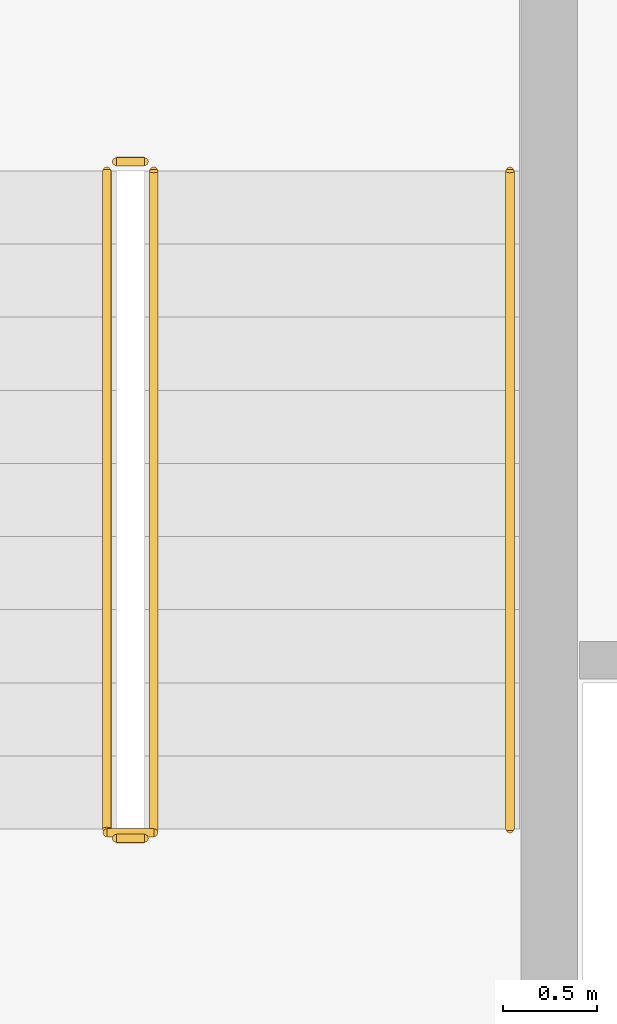
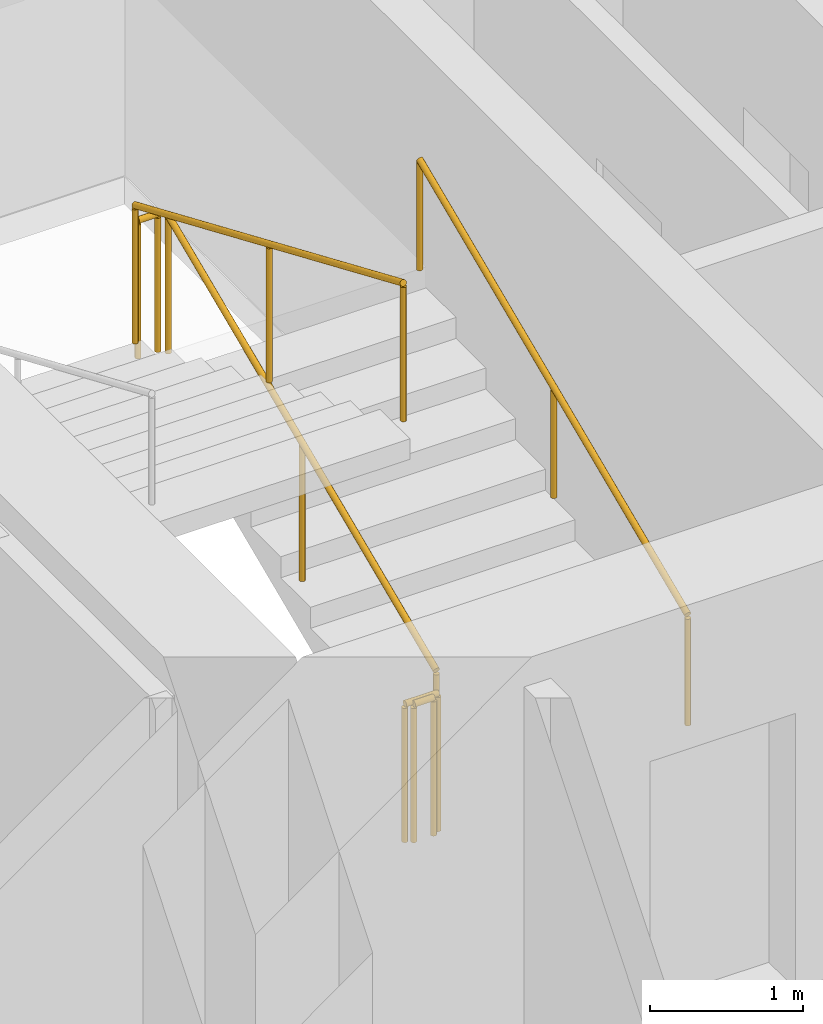
# One storey, part 32 of 33: 6 railings.
"""IFC4 building model written with IfcOpenShell, lengths in metres."""

import ifcopenshell
import ifcopenshell.guid

model = None  # the IFC model being written
_history = None  # IfcOwnerHistory: only IFC2X3 demands one
_inside = {}  # id of a spatial element -> (the spatial element, [elements in it])
_under = {}  # id of a project, library or spatial element -> (it, [spatial elements below it])
_declared = {}  # id of a project -> (the project, [libraries it declares])
_typed = {}  # id of a type object -> (the type object, [elements of that type])
_made_of = {}  # id of a material, layer set ... -> (it, [elements and type objects made of it])


def new_model(schema):
    """Start an empty IFC model of exactly this schema.

    Asked for "IFC4X3", IfcOpenShell would pick the latest addendum, in which some entities
    have other attributes; the version numbers below select the first issue.
    IFC2X3 requires an IfcOwnerHistory on every rooted entity: one is made here for all.
    """
    global model, _history
    if schema == "IFC4X3":
        model = ifcopenshell.file(schema_version=(4, 3, 0, 0))
    else:
        model = ifcopenshell.file(schema=schema)
    _inside.clear()
    _under.clear()
    _declared.clear()
    _typed.clear()
    _made_of.clear()
    _history = None
    if model.schema == "IFC2X3":
        org = make("IfcOrganization", Name="unknown")
        user = make(
            "IfcPersonAndOrganization",
            ThePerson=make("IfcPerson", FamilyName="unknown"),
            TheOrganization=org,
        )
        app = make(
            "IfcApplication",
            ApplicationDeveloper=org,
            Version="unknown",
            ApplicationFullName="unknown",
            ApplicationIdentifier="unknown",
        )
        _history = make(
            "IfcOwnerHistory",
            OwningUser=user,
            OwningApplication=app,
            ChangeAction="ADDED",
            CreationDate=0,
        )
    return model


def make(cls, **values):
    """One entity of the class cls with the attributes given. An attribute that is None is left unset."""
    return model.create_entity(
        cls, **{name: value for name, value in values.items() if value is not None}
    )


def rooted(cls, **values):
    """An entity with a GlobalId (a new one), such as an element, a storey or a relation."""
    return make(cls, GlobalId=ifcopenshell.guid.new(), OwnerHistory=_history, **values)


def si_unit(unit_type, name, prefix=None):
    """IfcSIUnit, for example si_unit("LENGTHUNIT", "METRE", prefix="MILLI")."""
    return make("IfcSIUnit", UnitType=unit_type, Prefix=prefix, Name=name)


def assignment(units):
    """IfcUnitAssignment: the units of a project."""
    return None if units is None else make("IfcUnitAssignment", Units=units)


def point(xyz):
    """IfcCartesianPoint."""
    return None if xyz is None else make("IfcCartesianPoint", Coordinates=xyz)


def direction(xyz):
    """IfcDirection."""
    return None if xyz is None else make("IfcDirection", DirectionRatios=xyz)


def frame(location, z_axis=None, x_axis=None):
    """IfcAxis2Placement3D, a coordinate frame: its origin and axes. An axis left out is left unset."""
    return make(
        "IfcAxis2Placement3D",
        Location=point(location),
        Axis=direction(z_axis),
        RefDirection=direction(x_axis),
    )


def frame_2d(location, x_axis=None):
    """IfcAxis2Placement2D, a coordinate frame in the plane: its origin and x axis."""
    return make(
        "IfcAxis2Placement2D", Location=point(location), RefDirection=direction(x_axis)
    )


def origin():
    """The frame at (0, 0, 0) with its axes left unset."""
    return frame((0.0, 0.0, 0.0))


def origin_2d():
    """The frame at (0, 0) in the plane with its x axis left unset."""
    return frame_2d((0.0, 0.0))


def place(relative_to, where):
    """IfcLocalPlacement: puts the frame where relative to a parent placement (None: the world)."""
    return make(
        "IfcLocalPlacement", PlacementRelTo=relative_to, RelativePlacement=where
    )


def context(
    kind, dimensions, precision=None, world=None, true_north=None, identifier=None
):
    """IfcGeometricRepresentationContext, for example the 3D "Model" context."""
    return make(
        "IfcGeometricRepresentationContext",
        ContextIdentifier=identifier,
        ContextType=kind,
        CoordinateSpaceDimension=dimensions,
        Precision=precision,
        WorldCoordinateSystem=world,
        TrueNorth=true_north,
    )


def subcontext(parent, identifier, kind, view, scale=None):
    """IfcGeometricRepresentationSubContext, for example "Body" below "Model"."""
    return make(
        "IfcGeometricRepresentationSubContext",
        ContextIdentifier=identifier,
        ContextType=kind,
        ParentContext=parent,
        TargetScale=scale,
        TargetView=view,
    )


def project(units=None, contexts=None):
    """IfcProject with its units and contexts."""
    return rooted(
        "IfcProject",
        Name="project",
        RepresentationContexts=contexts,
        UnitsInContext=assignment(units),
    )


def spatial(cls, under=None, at=None, **own):
    """A site, building, storey or space (cls), placed at a placement, below another one or the project."""
    s = rooted(cls, ObjectPlacement=at, **own)
    if under is not None:
        _under.setdefault(under.id(), (under, []))[1].append(s)
    return s


def profile(cls, at=None, kind="AREA", **sizes):
    """A parametric profile (cls). Its sizes go by their IFC names, for example OverallWidth=200.0."""
    return make(cls, ProfileType=kind, Position=at, **sizes)


def circle(**sizes):
    """IfcCircleProfileDef."""
    return profile("IfcCircleProfileDef", **sizes)


def extrude(swept, where, along, depth):
    """IfcExtrudedAreaSolid: the profile swept, set in the frame where, extruded along a direction by depth."""
    return make(
        "IfcExtrudedAreaSolid",
        SweptArea=swept,
        Position=where,
        ExtrudedDirection=direction(along),
        Depth=depth,
    )


def shape(context_of_items, identifier, shape_type, items):
    """IfcShapeRepresentation: the items that make up one representation, for example the "Body"."""
    return make(
        "IfcShapeRepresentation",
        ContextOfItems=context_of_items,
        RepresentationIdentifier=identifier,
        RepresentationType=shape_type,
        Items=items,
    )


def material(Name=None, Category=None):
    """IfcMaterial."""
    return make("IfcMaterial", Name=Name, Category=Category)


def layer(
    of_material, thickness, ventilated=None, Name=None, Category=None, Priority=None
):
    """IfcMaterialLayer: one layer of a wall or slab, of a material (None: an air gap)."""
    return make(
        "IfcMaterialLayer",
        Material=of_material,
        LayerThickness=thickness,
        IsVentilated=ventilated,
        Name=Name,
        Category=Category,
        Priority=Priority,
    )


def layer_set(layers, Name=None):
    """IfcMaterialLayerSet."""
    return make("IfcMaterialLayerSet", MaterialLayers=layers, LayerSetName=Name)


def made_of(thing, what):
    """Note that an element or type object is made of a material, layer set ...; save() writes the relation."""
    if what is not None:
        _made_of.setdefault(what.id(), (what, []))[1].append(thing)
    return thing


def type_object(cls, material=None, **own):
    """A type object (cls), such as IfcWallType, which elements share."""
    return made_of(rooted(cls, **own), material)


def element(
    cls,
    number,
    at=None,
    inside=None,
    cuts=None,
    type_object=None,
    material=None,
    context=None,
    identifier="Body",
    shape_type=None,
    held_by="IfcProductDefinitionShape",
    body=None,
    shapes=None,
    **own,
):
    """One element of the class cls, such as IfcWall. Its Tag is "e" and its number.

    at: its placement. inside: the storey or other place that contains it. cuts: it is an
    opening in that element (IfcRelVoidsElement). A single representation is given by context,
    identifier, shape_type and body (its items); several are given by shapes. held_by: the class
    of the entity that holds the representations. save() writes the other relations.
    """
    e = rooted(cls, Tag="e%d" % number, ObjectPlacement=at, **own)
    if body is not None:
        shapes = [shape(context, identifier, shape_type, body)]
    if shapes is not None:
        e.Representation = make(held_by, Representations=shapes)
    if inside is not None:
        _inside.setdefault(inside.id(), (inside, []))[1].append(e)
    if cuts is not None:
        rooted(
            "IfcRelVoidsElement", RelatingBuildingElement=cuts, RelatedOpeningElement=e
        )
    if type_object is not None:
        _typed.setdefault(type_object.id(), (type_object, []))[1].append(e)
    return made_of(e, material)


def aggregate(whole, parts):
    """IfcRelAggregates: a whole, such as a stair, and the parts it consists of."""
    return rooted("IfcRelAggregates", RelatingObject=whole, RelatedObjects=parts)


def save(model, path):
    """Write the relations noted so far, then the file.

    IfcRelAggregates (storeys below a building ...), IfcRelContainedInSpatialStructure (elements
    in a storey), IfcRelDefinesByType, IfcRelAssociatesMaterial and IfcRelDeclares: one each for
    every whole, place, type object, material and project.
    """
    for whole, parts in _under.values():
        aggregate(whole, parts)
    for where, things in _inside.values():
        rooted(
            "IfcRelContainedInSpatialStructure",
            RelatedElements=things,
            RelatingStructure=where,
        )
    for kind, things in _typed.values():
        rooted("IfcRelDefinesByType", RelatedObjects=things, RelatingType=kind)
    for what, things in _made_of.values():
        rooted("IfcRelAssociatesMaterial", RelatedObjects=things, RelatingMaterial=what)
    for by, libraries in _declared.values():
        rooted("IfcRelDeclares", RelatingContext=by, RelatedDefinitions=libraries)
    model.write(path)


model = new_model("IFC4")

# Units and contexts
model_context = context("Model", 3, precision=1e-05, world=origin(), true_north=direction((0.0, 1.0)))
body_context = subcontext(model_context, "Body", "Model", "MODEL_VIEW")
ifc_project = project(units=[si_unit("LENGTHUNIT", "METRE"), si_unit("AREAUNIT", "SQUARE_METRE"), si_unit("VOLUMEUNIT", "CUBIC_METRE"), si_unit("PLANEANGLEUNIT", "RADIAN"), si_unit("MASSUNIT", "GRAM", prefix="KILO")], contexts=[model_context])

# Site, building, storey
site_placement = place(None, origin())
site = spatial("IfcSite", under=ifc_project, at=site_placement, CompositionType="ELEMENT")
building_placement = place(site_placement, origin())
building = spatial("IfcBuilding", under=site, at=building_placement, Name="Hatsunagi Terrace Concourse", CompositionType="ELEMENT")
storey_placement = place(building_placement, frame((0.0, 0.0, 43.300048828125)))
storey = spatial("IfcBuildingStorey", under=building, at=storey_placement, Name="L10", CompositionType="ELEMENT", Elevation=43.300048828125)

# Railings
ifc_material_1 = material(Name="Stainless steel", Category="steel")
ifc_layer_1 = layer(ifc_material_1, 0.044921875)
ifc_layer_set_1 = layer_set([ifc_layer_1], Name="StairPitchHandrail_Tower2000")
railing_type_1 = type_object("IfcRailingType", Name="StairPitchHandrail_Tower2000", PredefinedType="HANDRAIL", material=ifc_layer_set_1)
railing_1_placement = place(storey_placement, frame((30.330078125, 35.199951171875, 0.16748046875)))
element("IfcRailing", 1, at=railing_1_placement, inside=storey, type_object=railing_type_1, Name="L10 ST-A stair handrail 1", PredefinedType="HANDRAIL", context=body_context, shape_type="SweptSolid", body=[
    extrude(circle(Radius=0.02392578125, at=origin_2d()), frame((0.0, 0.0, 0.8759765625), z_axis=(0.0, 0.918834009242, 0.394644223904), x_axis=(-1.0, 0.0, 0.0)), (0.0, 0.0, 1.0), 3.820068359375),
    extrude(circle(Radius=0.02099609375, at=origin_2d()), origin(), (0.0, 0.0, 1.0), 0.851806640625),
    extrude(circle(Radius=0.02099609375, at=origin_2d()), frame((0.0, 1.7548828125, 0.75390625)), (0.0, 0.0, 1.0), 0.851806640625),
    extrude(circle(Radius=0.02099609375, at=origin_2d()), frame((0.0, 3.510009765625, 1.507568359375)), (0.0, 0.0, 1.0), 0.851806640625),
])
ifc_material_2 = material(Name="Stainless steel", Category="steel")
ifc_layer_2 = layer(ifc_material_2, 0.06005859375)
ifc_layer_set_2 = layer_set([ifc_layer_2], Name="StairWellGuard_Tower2000")
railing_type_2 = type_object("IfcRailingType", Name="StairWellGuard_Tower2000", PredefinedType="BALUSTRADE", material=ifc_layer_set_2)
railing_2_placement = place(storey_placement, frame((28.429931640625, 35.199951171875, 0.16748046875)))
element("IfcRailing", 2, at=railing_2_placement, inside=storey, type_object=railing_type_2, Name="L10 ST-A stair guard 1", PredefinedType="BALUSTRADE", context=body_context, shape_type="SweptSolid", body=[
    extrude(circle(Radius=0.02392578125, at=origin_2d()), frame((0.0, 0.0, 1.09619140625), z_axis=(0.0, 0.918834009242, 0.394644223904), x_axis=(-1.0, 0.0, 0.0)), (0.0, 0.0, 1.0), 3.820068359375),
    extrude(circle(Radius=0.02099609375, at=origin_2d()), origin(), (0.0, 0.0, 1.0), 1.072021484375),
    extrude(circle(Radius=0.02099609375, at=origin_2d()), frame((0.0, 1.7548828125, 0.75390625)), (0.0, 0.0, 1.0), 1.072021484375),
    extrude(circle(Radius=0.02099609375, at=origin_2d()), frame((0.0, 3.510009765625, 1.507568359375)), (0.0, 0.0, 1.0), 1.072021484375),
])
railing_3_placement = place(storey_placement, frame((28.3798828125, 38.760009765625, 1.675048828125)))
element("IfcRailing", 3, at=railing_3_placement, inside=storey, type_object=railing_type_2, Name="L10 ST-A stair guard 2", PredefinedType="BALUSTRADE", context=body_context, shape_type="SweptSolid", body=[
    extrude(circle(Radius=0.02392578125, at=origin_2d()), frame((0.0, 0.0, 1.09619140625), z_axis=(-1.0, 0.0, 0.0), x_axis=(0.0, -1.0, 0.0)), (0.0, 0.0, 1.0), 0.14990234375),
    extrude(circle(Radius=0.02099609375, at=origin_2d()), origin(), (0.0, 0.0, 1.0), 1.072021484375),
    extrude(circle(Radius=0.02099609375, at=origin_2d()), frame((-0.14990234375, 0.0, 0.0)), (0.0, 0.0, 1.0), 1.072021484375),
])
railing_4_placement = place(storey_placement, frame((28.179931640625, 38.7099609375, 1.842529296875)))
element("IfcRailing", 4, at=railing_4_placement, inside=storey, type_object=railing_type_2, Name="L10 ST-A stair guard 3", PredefinedType="BALUSTRADE", context=body_context, shape_type="SweptSolid", body=[
    extrude(circle(Radius=0.02392578125, at=origin_2d()), frame((0.0, 0.0, 1.09619140625), z_axis=(0.0, -0.918857182807, 0.394590265469), x_axis=(1.0, 0.0, 0.0)), (0.0, 0.0, 1.0), 3.820068359375),
    extrude(circle(Radius=0.02099609375, at=origin_2d()), origin(), (0.0, 0.0, 1.0), 1.072021484375),
    extrude(circle(Radius=0.02099609375, at=origin_2d()), frame((0.0, -1.7548828125, 0.753662109375)), (0.0, 0.0, 1.0), 1.072021484375),
    extrude(circle(Radius=0.02099609375, at=origin_2d()), frame((0.0, -3.510009765625, 1.50732421875)), (0.0, 0.0, 1.0), 1.072021484375),
])
railing_5_placement = place(storey_placement, frame((28.3798828125, 35.14990234375, 0.0)))
element("IfcRailing", 5, at=railing_5_placement, inside=storey, type_object=railing_type_2, Name="L10 ST-A stair guard 4", PredefinedType="BALUSTRADE", context=body_context, shape_type="SweptSolid", body=[
    extrude(circle(Radius=0.02392578125, at=origin_2d()), frame((0.0, 0.0, 1.09619140625), z_axis=(-1.0, 0.0, 0.0), x_axis=(0.0, -1.0, 0.0)), (0.0, 0.0, 1.0), 0.14990234375),
    extrude(circle(Radius=0.02099609375, at=origin_2d()), origin(), (0.0, 0.0, 1.0), 1.072021484375),
    extrude(circle(Radius=0.02099609375, at=origin_2d()), frame((-0.14990234375, 0.0, 0.0)), (0.0, 0.0, 1.0), 1.072021484375),
])
ifc_material_3 = material(Name="Stainless Steel SUS316 Post-and-Rail Guard", Category="steel")
ifc_layer_3 = layer(ifc_material_3, 0.080078125)
ifc_layer_set_3 = layer_set([ifc_layer_3], Name="TerracePlantedGuardRail_1200")
railing_type_3 = type_object("IfcRailingType", Name="TerracePlantedGuardRail_1200", PredefinedType="GUARDRAIL", material=ifc_layer_set_3)
railing_6_placement = place(storey_placement, frame((28.179931640625, 35.179931640625, 0.0)))
element("IfcRailing", 6, at=railing_6_placement, inside=storey, type_object=railing_type_3, Name="Stair ST-A Well Closure Guard L10", PredefinedType="GUARDRAIL", context=body_context, shape_type="SweptSolid", body=[
    extrude(circle(Radius=0.02392578125, at=origin_2d()), frame((0.0, 0.0, 1.09619140625), z_axis=(1.0, 0.0, 0.0), x_axis=(0.0, 1.0, 0.0)), (0.0, 0.0, 1.0), 0.25),
    extrude(circle(Radius=0.02099609375, at=origin_2d()), origin(), (0.0, 0.0, 1.0), 1.072021484375),
    extrude(circle(Radius=0.02099609375, at=origin_2d()), frame((0.25, 0.0, 0.0)), (0.0, 0.0, 1.0), 1.072021484375),
])

save(model, "model.ifc")
